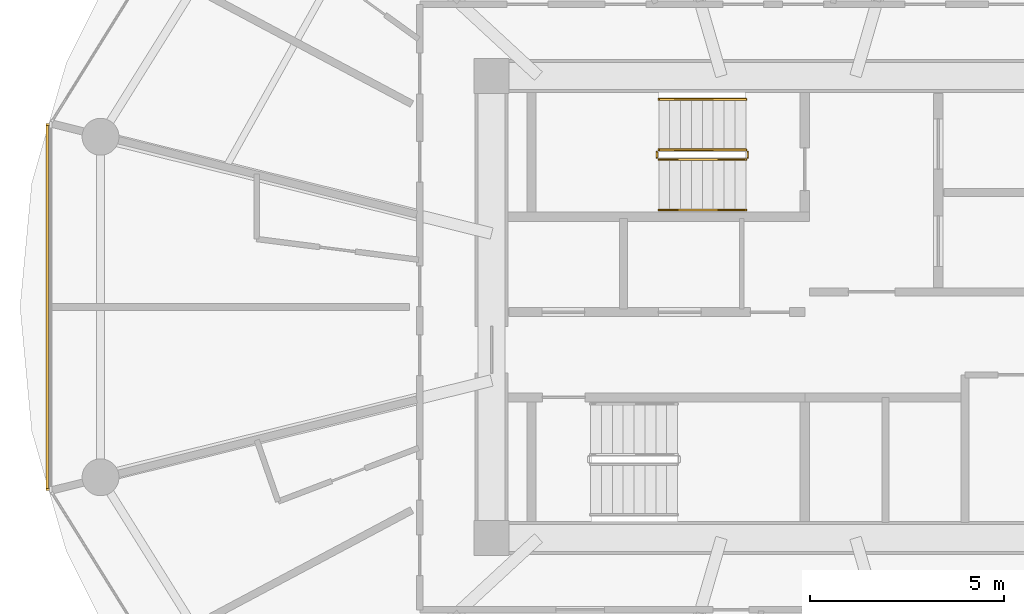
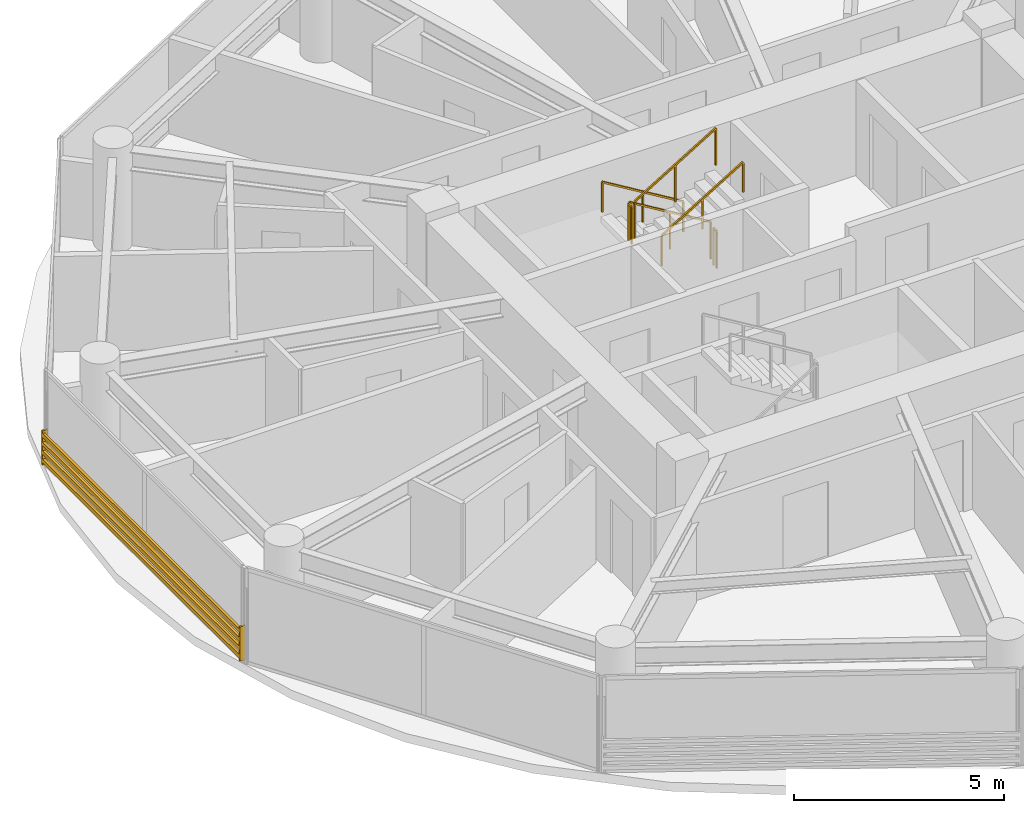
# One storey, part 23 of 26: 6 railings, 1 shading device.
"""IFC4 building model written with IfcOpenShell, lengths in metres."""

from ifc_helpers import new_model, si_unit, direction, frame, origin, origin_2d, place, context, subcontext, project, spatial, rectangle, extrude, source, transform, mapped, material, type_object, type_shapes, element, save


model = new_model("IFC4")

# Units and contexts
model_context = context("Model", 3, precision=1e-05, world=origin(), true_north=direction((0.0, 1.0)))
body_context = subcontext(model_context, "Body", "Model", "MODEL_VIEW")
ifc_project = project(units=[si_unit("LENGTHUNIT", "METRE"), si_unit("AREAUNIT", "SQUARE_METRE"), si_unit("VOLUMEUNIT", "CUBIC_METRE"), si_unit("PLANEANGLEUNIT", "RADIAN"), si_unit("MASSUNIT", "GRAM", prefix="KILO")], contexts=[model_context])

# Site, building, storey
site_placement = place(None, origin())
site = spatial("IfcSite", under=ifc_project, at=site_placement, CompositionType="ELEMENT")
building_placement = place(site_placement, origin())
building = spatial("IfcBuilding", under=site, at=building_placement, Name="Norrkilde Senior Care Towers", CompositionType="ELEMENT")
storey_placement = place(building_placement, frame((0.0, 0.0, 64.300048828125)))
storey = spatial("IfcBuildingStorey", under=building, at=storey_placement, Name="L19", CompositionType="ELEMENT", Elevation=64.300048828125)

# Railings
ifc_material_1 = material(Name="Stainless Steel", Category="steel")
railing_type_1 = type_object("IfcRailingType", Name="Stair and Terrace Guardrail 1100", PredefinedType="GUARDRAIL", material=ifc_material_1)
railing_1_placement = place(storey_placement, frame((-29.10009765625, 4.050048828125, 0.16943359375)))
element("IfcRailing", 1, at=railing_1_placement, inside=storey, type_object=railing_type_1, Name="L19 ST-W1 stair guard 1", PredefinedType="GUARDRAIL", context=body_context, shape_type="SweptSolid", body=[
    extrude(rectangle(XDim=0.048095703125, YDim=0.048095703125, at=origin_2d()), frame((0.0, 0.0, 1.076171875), z_axis=(-0.855553338991, 0.0, 0.51771467445), x_axis=(0.0, -1.0, 0.0)), (0.0, 0.0, 1.0), 2.6181640625),
    extrude(rectangle(XDim=0.0419921875, YDim=0.0419921875, at=origin_2d()), origin(), (0.0, 0.0, 1.0), 1.050048828125),
    extrude(rectangle(XDim=0.0419921875, YDim=0.0419921875, at=origin_2d()), frame((-1.1201171875, 0.0, 0.677734375)), (0.0, 0.0, 1.0), 1.050048828125),
    extrude(rectangle(XDim=0.0419921875, YDim=0.0419921875, at=origin_2d()), frame((-2.239990234375, 0.0, 1.35546875)), (0.0, 0.0, 1.0), 1.050048828125),
])
railing_2_placement = place(storey_placement, frame((-31.389892578125, 4.0, 1.52490234375)))
element("IfcRailing", 2, at=railing_2_placement, inside=storey, type_object=railing_type_1, Name="L19 ST-W1 stair guard 2", PredefinedType="GUARDRAIL", context=body_context, shape_type="SweptSolid", body=[
    extrude(rectangle(XDim=0.048095703125, YDim=0.048095703125, at=origin_2d()), frame((0.0, 0.0, 1.076171875), z_axis=(0.0, -1.0, 0.0), x_axis=(1.0, 0.0, 0.0)), (0.0, 0.0, 1.0), 0.14990234375),
    extrude(rectangle(XDim=0.0419921875, YDim=0.0419921875, at=origin_2d()), origin(), (0.0, 0.0, 1.0), 1.050048828125),
    extrude(rectangle(XDim=0.0419921875, YDim=0.0419921875, at=origin_2d()), frame((0.0, -0.14990234375, 0.0)), (0.0, 0.0, 1.0), 1.050048828125),
])
railing_3_placement = place(storey_placement, frame((-31.340087890625, 3.800048828125, 1.6943359375)))
element("IfcRailing", 3, at=railing_3_placement, inside=storey, type_object=railing_type_1, Name="L19 ST-W1 stair guard 3", PredefinedType="GUARDRAIL", context=body_context, shape_type="SweptSolid", body=[
    extrude(rectangle(XDim=0.048095703125, YDim=0.048095703125, at=origin_2d()), frame((0.0, 0.0, 1.076171875), z_axis=(0.855512035549, 0.0, 0.517782924622), x_axis=(0.0, 1.0, 0.0)), (0.0, 0.0, 1.0), 2.618408203125),
    extrude(rectangle(XDim=0.0419921875, YDim=0.0419921875, at=origin_2d()), origin(), (0.0, 0.0, 1.0), 1.050048828125),
    extrude(rectangle(XDim=0.0419921875, YDim=0.0419921875, at=origin_2d()), frame((1.1201171875, 0.0, 0.677734375)), (0.0, 0.0, 1.0), 1.050048828125),
    extrude(rectangle(XDim=0.0419921875, YDim=0.0419921875, at=origin_2d()), frame((2.239990234375, 0.0, 1.355712890625)), (0.0, 0.0, 1.0), 1.050048828125),
])
railing_4_placement = place(storey_placement, frame((-29.050048828125, 4.0, 0.0)))
element("IfcRailing", 4, at=railing_4_placement, inside=storey, type_object=railing_type_1, Name="L19 ST-W1 stair guard 4", PredefinedType="GUARDRAIL", context=body_context, shape_type="SweptSolid", body=[
    extrude(rectangle(XDim=0.048095703125, YDim=0.048095703125, at=origin_2d()), frame((0.0, 0.0, 1.076171875), z_axis=(0.0, -1.0, 0.0), x_axis=(1.0, 0.0, 0.0)), (0.0, 0.0, 1.0), 0.14990234375),
    extrude(rectangle(XDim=0.0419921875, YDim=0.0419921875, at=origin_2d()), origin(), (0.0, 0.0, 1.0), 1.050048828125),
    extrude(rectangle(XDim=0.0419921875, YDim=0.0419921875, at=origin_2d()), frame((0.0, -0.14990234375, 0.0)), (0.0, 0.0, 1.0), 1.050048828125),
])
ifc_material_2 = material(Name="Nordic Ash Timber", Category="wood")
railing_type_2 = type_object("IfcRailingType", Name="Wall and Stair Handrail 900", PredefinedType="HANDRAIL", material=ifc_material_2)
railing_5_placement = place(storey_placement, frame((-29.10009765625, 5.35009765625, 0.16943359375)))
element("IfcRailing", 5, at=railing_5_placement, inside=storey, type_object=railing_type_2, Name="L19 ST-W1 stair handrail 1", PredefinedType="HANDRAIL", context=body_context, shape_type="SweptSolid", body=[
    extrude(rectangle(XDim=0.048095703125, YDim=0.048095703125, at=origin_2d()), frame((0.0, 0.0, 0.8759765625), z_axis=(-0.855553338991, 0.0, 0.51771467445), x_axis=(0.0, -1.0, 0.0)), (0.0, 0.0, 1.0), 2.6181640625),
    extrude(rectangle(XDim=0.0419921875, YDim=0.0419921875, at=origin_2d()), origin(), (0.0, 0.0, 1.0), 0.849853515625),
    extrude(rectangle(XDim=0.0419921875, YDim=0.0419921875, at=origin_2d()), frame((-1.1201171875, 0.0, 0.677734375)), (0.0, 0.0, 1.0), 0.849853515625),
    extrude(rectangle(XDim=0.0419921875, YDim=0.0419921875, at=origin_2d()), frame((-2.239990234375, 0.0, 1.35546875)), (0.0, 0.0, 1.0), 0.849853515625),
])
railing_6_placement = place(storey_placement, frame((-31.340087890625, 2.5, 1.6943359375)))
element("IfcRailing", 6, at=railing_6_placement, inside=storey, type_object=railing_type_2, Name="L19 ST-W1 stair handrail 2", PredefinedType="HANDRAIL", context=body_context, shape_type="SweptSolid", body=[
    extrude(rectangle(XDim=0.048095703125, YDim=0.048095703125, at=origin_2d()), frame((0.0, 0.0, 0.8759765625), z_axis=(0.855512035549, 0.0, 0.517782924622), x_axis=(0.0, 1.0, 0.0)), (0.0, 0.0, 1.0), 2.618408203125),
    extrude(rectangle(XDim=0.0419921875, YDim=0.0419921875, at=origin_2d()), origin(), (0.0, 0.0, 1.0), 0.849853515625),
    extrude(rectangle(XDim=0.0419921875, YDim=0.0419921875, at=origin_2d()), frame((1.1201171875, 0.0, 0.677734375)), (0.0, 0.0, 1.0), 0.849853515625),
    extrude(rectangle(XDim=0.0419921875, YDim=0.0419921875, at=origin_2d()), frame((2.239990234375, 0.0, 1.355712890625)), (0.0, 0.0, 1.0), 0.849853515625),
])

# Shading device
ifc_material_3 = material(Name="Architectural Terracotta", Category="masonry")
shading_device_type = type_object("IfcShadingDeviceType", Name="Horizontal Terracotta Baguette Rack", PredefinedType="USERDEFINED", material=ifc_material_3)
shared_shape = source(origin(), body_context, "Body", "SweptSolid", [
    extrude(rectangle(XDim=0.070068359375, YDim=0.110107421875, at=origin_2d()), frame((0.0, 0.090087890625, 0.125), z_axis=(1.0, 0.0, 0.0), x_axis=(0.0, 1.0, 0.0)), (0.0, 0.0, 1.0), 9.46240234375),
    extrude(rectangle(XDim=0.070068359375, YDim=0.110107421875, at=origin_2d()), frame((0.0, 0.090087890625, 0.375), z_axis=(1.0, 0.0, 0.0), x_axis=(0.0, 1.0, 0.0)), (0.0, 0.0, 1.0), 9.46240234375),
    extrude(rectangle(XDim=0.070068359375, YDim=0.110107421875, at=origin_2d()), frame((0.0, 0.090087890625, 0.625), z_axis=(1.0, 0.0, 0.0), x_axis=(0.0, 1.0, 0.0)), (0.0, 0.0, 1.0), 9.46240234375),
    extrude(rectangle(XDim=0.070068359375, YDim=0.110107421875, at=origin_2d()), frame((0.0, 0.090087890625, 0.875), z_axis=(1.0, 0.0, 0.0), x_axis=(0.0, 1.0, 0.0)), (0.0, 0.0, 1.0), 9.46240234375),
    extrude(rectangle(XDim=0.050048828125, YDim=0.1552734375, at=origin_2d()), frame((0.02490234375, 0.047607421875, 0.0)), (0.0, 0.0, 1.0), 1.0),
    extrude(rectangle(XDim=0.050048828125, YDim=0.1552734375, at=origin_2d()), frame((9.4375, 0.047607421875, 0.0)), (0.0, 0.0, 1.0), 1.0),
])
type_shapes(shading_device_type, [shared_shape])
shading_device_placement = place(storey_placement, frame((-47.009521484375, -4.731201171875, 0.079833984375), z_axis=(0.0, 0.0, 1.0), x_axis=(0.0, 1.0, 0.0)))
element("IfcShadingDevice", 7, at=shading_device_placement, inside=storey, type_object=shading_device_type, Name="L19 Drum W Terracotta Baguette Screen 05", ObjectType="BAGUETTE", PredefinedType="USERDEFINED", context=body_context, shape_type="MappedRepresentation", body=[
    mapped(shared_shape, transform((0.0, 0.0, 0.0), x_axis=(1.0, 0.0, 0.0), y_axis=(0.0, 1.0, 0.0), z_axis=(0.0, 0.0, 1.0), scale=1.0)),
])

save(model, "model.ifc")
